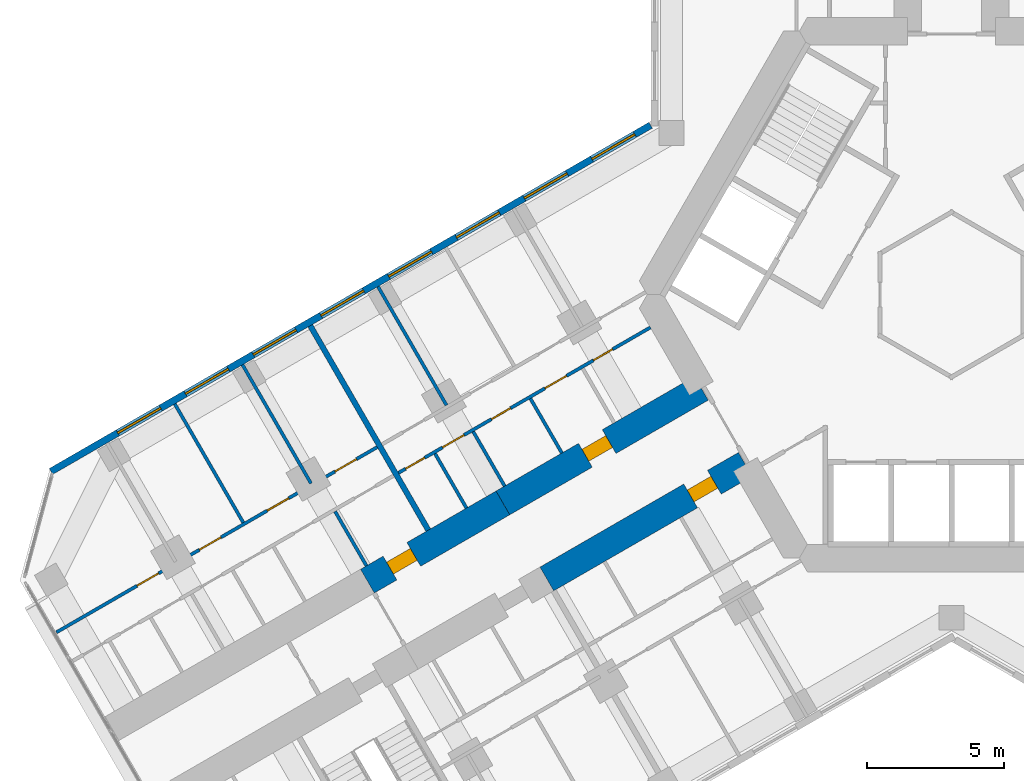
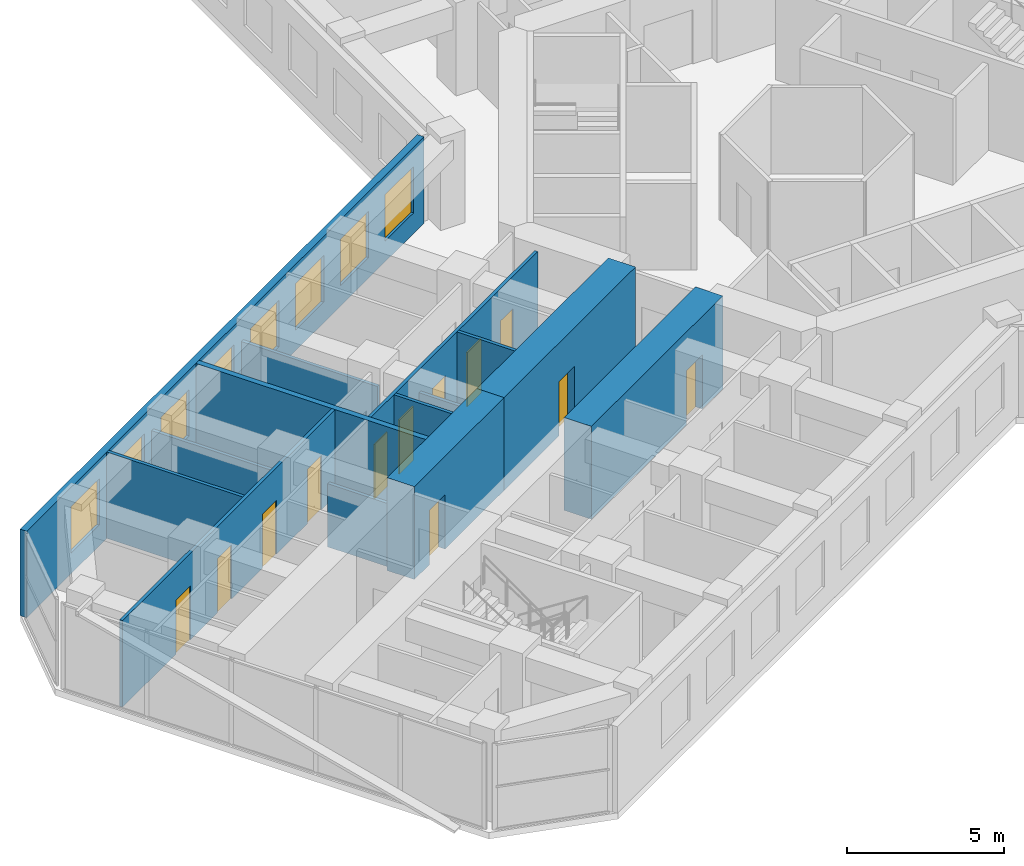
# One storey, part 12 of 22: 14 walls, 12 doors, 8 windows, 20 openings.
"""IFC4 building model written with IfcOpenShell, lengths in metres."""

from ifc_helpers import new_model, si_unit, direction, frame, frame_2d, origin, place, context, subcontext, project, spatial, rectangle, extrude, material, layer, layer_set, type_object, element, fill, save


model = new_model("IFC4")

# Units and contexts
model_context = context("Model", 3, precision=1e-05, world=origin(), true_north=direction((0.0, 1.0)))
body_context = subcontext(model_context, "Body", "Model", "MODEL_VIEW")
ifc_project = project(units=[si_unit("LENGTHUNIT", "METRE"), si_unit("AREAUNIT", "SQUARE_METRE"), si_unit("VOLUMEUNIT", "CUBIC_METRE"), si_unit("PLANEANGLEUNIT", "RADIAN"), si_unit("MASSUNIT", "GRAM", prefix="KILO")], contexts=[model_context])

# Site, building, storey
site_placement = place(None, origin())
site = spatial("IfcSite", under=ifc_project, at=site_placement, CompositionType="ELEMENT")
building_placement = place(site_placement, origin())
building = spatial("IfcBuilding", under=site, at=building_placement, Name="Kosmar Iwan School Tower", CompositionType="ELEMENT")
storey_placement = place(building_placement, frame((0.0, 0.0, 95.199951171875)))
storey = spatial("IfcBuildingStorey", under=building, at=storey_placement, Name="L23", CompositionType="ELEMENT", Elevation=95.199951171875)

# Wall, opening, door
ifc_material_1 = material(Name="Concrete C50/60", Category="concrete")
ifc_layer_1 = layer(ifc_material_1, 1.0)
ifc_layer_set_1 = layer_set([ifc_layer_1], Name="Corridor buttress wall 1000")
wall_type_1 = type_object("IfcWallType", Name="Corridor buttress wall 1000", PredefinedType="SHEAR", material=ifc_layer_set_1)
wall_1_placement = place(storey_placement, frame((-7.513916015625, -6.185546875, 0.0), z_axis=(0.0, 0.0, 1.0), x_axis=(-0.866019549707, -0.500010139422, 0.0)))
wall_1 = element("IfcWall", 1, at=wall_1_placement, inside=storey, type_object=wall_type_1, Name="Corridor wall BL", PredefinedType="SHEAR", context=body_context, shape_type="SweptSolid", body=[
    extrude(rectangle(XDim=8.349853515625, YDim=1.0, at=frame_2d((4.1748046875, 0.0))), origin(), (0.0, 0.0, 1.0), 3.60009765625),
])
opening_1_placement = place(wall_1_placement, frame((1.300048828125, 0.0, 0.0)))
opening_1 = element("IfcOpeningElement", 2, at=opening_1_placement, cuts=wall_1, Name="Opening D1", PredefinedType="OPENING", context=body_context, shape_type="SweptSolid", body=[
    extrude(rectangle(XDim=1.0, YDim=2.10009765625, at=frame_2d((0.5, 1.050048828125))), frame((0.0, 0.511962890625, 0.0), z_axis=(0.0, -1.0, 0.0), x_axis=(1.0, 0.0, 0.0)), (0.0, 0.0, 1.0), 1.02392578125),
])
ifc_material_2 = material(Name="Timber fire door in steel frame", Category="steel")
door_type_1 = type_object("IfcDoorType", Name="Flat entrance door 1000x2100", OperationType="SINGLE_SWING_LEFT", PredefinedType="DOOR", material=ifc_material_2)
door_1_placement = place(opening_1_placement, origin())
door_1 = element("IfcDoor", 3, at=door_1_placement, inside=storey, type_object=door_type_1, Name="Flat L23-BL1 entrance door", OperationType="SINGLE_SWING_RIGHT", OverallHeight=2.10009765625, OverallWidth=1.0, PredefinedType="DOOR", context=body_context, shape_type="SweptSolid", body=[
    extrude(rectangle(XDim=1.0, YDim=2.10009765625, at=frame_2d((0.5, 1.050048828125))), frame((0.0, 0.25, 0.0), z_axis=(0.0, -1.0, 0.0), x_axis=(1.0, 0.0, 0.0)), (0.0, 0.0, 1.0), 0.5),
])
fill(opening_1, door_1)

wall_2_placement = place(storey_placement, frame((-9.11376953125, -3.414306640625, 0.0), z_axis=(0.0, 0.0, 1.0), x_axis=(-0.866026859388, -0.499997478812, 0.0)))
wall_2 = element("IfcWall", 4, at=wall_2_placement, inside=storey, type_object=wall_type_1, Name="Corridor wall BR", PredefinedType="SHEAR", context=body_context, shape_type="SweptSolid", body=[
    extrude(rectangle(XDim=8.35009765625, YDim=1.0, at=frame_2d((4.175048828125, 0.0))), origin(), (0.0, 0.0, 1.0), 3.60009765625),
])
opening_2_placement = place(wall_2_placement, frame((3.8798828125, 0.0, 0.0)))
opening_2 = element("IfcOpeningElement", 5, at=opening_2_placement, cuts=wall_2, Name="Opening D1", PredefinedType="OPENING", context=body_context, shape_type="SweptSolid", body=[
    extrude(rectangle(XDim=1.0, YDim=2.10009765625, at=frame_2d((0.5, 1.050048828125))), frame((0.0, 0.511962890625, 0.0), z_axis=(0.0, -1.0, 0.0), x_axis=(1.0, 0.0, 0.0)), (0.0, 0.0, 1.0), 1.02392578125),
])
door_2_placement = place(opening_2_placement, origin())
door_2 = element("IfcDoor", 6, at=door_2_placement, inside=storey, type_object=door_type_1, Name="Flat L23-BR1 entrance door", OperationType="SINGLE_SWING_RIGHT", OverallHeight=2.10009765625, OverallWidth=1.0, PredefinedType="DOOR", context=body_context, shape_type="SweptSolid", body=[
    extrude(rectangle(XDim=1.0, YDim=2.10009765625, at=frame_2d((0.5, 1.050048828125))), frame((0.0, 0.25, 0.0), z_axis=(0.0, -1.0, 0.0), x_axis=(1.0, 0.0, 0.0)), (0.0, 0.0, 1.0), 0.5),
])
fill(opening_2, door_2)

wall_3_placement = place(storey_placement, frame((-16.34521484375, -7.58935546875, 0.0), z_axis=(0.0, 0.0, 1.0), x_axis=(-0.866015111908, -0.50001782563, 0.0)))
wall_3 = element("IfcWall", 7, at=wall_3_placement, inside=storey, type_object=wall_type_1, Name="Corridor wall BR bay 2", PredefinedType="SHEAR", context=body_context, shape_type="SweptSolid", body=[
    extrude(rectangle(XDim=5.699951171875, YDim=1.0, at=frame_2d((2.85009765625, 0.0))), origin(), (0.0, 0.0, 1.0), 3.60009765625),
])
opening_3_placement = place(wall_3_placement, frame((3.75, 0.0, 0.0)))
opening_3 = element("IfcOpeningElement", 8, at=opening_3_placement, cuts=wall_3, Name="Opening D1", PredefinedType="OPENING", context=body_context, shape_type="SweptSolid", body=[
    extrude(rectangle(XDim=1.0, YDim=2.10009765625, at=frame_2d((0.5, 1.050048828125))), frame((0.0, 0.511962890625, 0.0), z_axis=(0.0, -1.0, 0.0), x_axis=(1.0, 0.0, 0.0)), (0.0, 0.0, 1.0), 1.02392578125),
])
door_3_placement = place(opening_3_placement, origin())
door_3 = element("IfcDoor", 9, at=door_3_placement, inside=storey, type_object=door_type_1, Name="Flat L23-BR2 entrance door", OperationType="SINGLE_SWING_RIGHT", OverallHeight=2.10009765625, OverallWidth=1.0, PredefinedType="DOOR", context=body_context, shape_type="SweptSolid", body=[
    extrude(rectangle(XDim=1.0, YDim=2.10009765625, at=frame_2d((0.5, 1.050048828125))), frame((0.0, 0.25, 0.0), z_axis=(0.0, -1.0, 0.0), x_axis=(1.0, 0.0, 0.0)), (0.0, 0.0, 1.0), 0.5),
])
fill(opening_3, door_3)

# Wall, openings, doors
ifc_material_3 = material(Name="Gypsum board on steel studs", Category="steel")
ifc_layer_2 = layer(ifc_material_3, 0.1201171875)
ifc_layer_set_2 = layer_set([ifc_layer_2], Name="Dwelling partition 120")
wall_type_2 = type_object("IfcWallType", Name="Dwelling partition 120", PredefinedType="PARTITIONING", material=ifc_layer_set_2)
wall_4_placement = place(storey_placement, frame((-10.971923828125, -1.1962890625, 0.0), z_axis=(0.0, 0.0, 1.0), x_axis=(-0.866034853001, -0.49998363312, 0.0)))
wall_4 = element("IfcWall", 10, at=wall_4_placement, inside=storey, type_object=wall_type_2, Name="Partition L23-BR1-W1", PredefinedType="PARTITIONING", context=body_context, shape_type="SweptSolid", body=[
    extrude(rectangle(XDim=10.599853515625, YDim=0.1201171875, at=frame_2d((5.2998046875, 0.0))), origin(), (0.0, 0.0, 1.0), 3.35009765625),
])
opening_4_placement = place(wall_4_placement, frame((1.590087890625, 0.0, 0.0)))
opening_4 = element("IfcOpeningElement", 11, at=opening_4_placement, cuts=wall_4, Name="Opening D3", PredefinedType="OPENING", context=body_context, shape_type="SweptSolid", body=[
    extrude(rectangle(XDim=0.800048828125, YDim=2.10009765625, at=frame_2d((0.39990234375, 1.050048828125))), frame((0.0, 0.072021484375, 0.0), z_axis=(0.0, -1.0, 0.0), x_axis=(1.0, 0.0, 0.0)), (0.0, 0.0, 1.0), 0.14404296875),
])
opening_5_placement = place(wall_4_placement, frame((3.530029296875, 0.0, 0.0)))
opening_5 = element("IfcOpeningElement", 12, at=opening_5_placement, cuts=wall_4, Name="Opening D2", PredefinedType="OPENING", context=body_context, shape_type="SweptSolid", body=[
    extrude(rectangle(XDim=0.89990234375, YDim=2.10009765625, at=frame_2d((0.449951171875, 1.050048828125))), frame((0.0, 0.072021484375, 0.0), z_axis=(0.0, -1.0, 0.0), x_axis=(1.0, 0.0, 0.0)), (0.0, 0.0, 1.0), 0.14404296875),
])
opening_6_placement = place(wall_4_placement, frame((5.88427734375, 0.0, 0.0)))
opening_6 = element("IfcOpeningElement", 13, at=opening_6_placement, cuts=wall_4, Name="Opening D3", PredefinedType="OPENING", context=body_context, shape_type="SweptSolid", body=[
    extrude(rectangle(XDim=0.800048828125, YDim=2.10009765625, at=frame_2d((0.39990234375, 1.050048828125))), frame((0.0, 0.072021484375, 0.0), z_axis=(0.0, -1.0, 0.0), x_axis=(1.0, 0.0, 0.0)), (0.0, 0.0, 1.0), 0.14404296875),
])
opening_7_placement = place(wall_4_placement, frame((7.841552734375, 0.0, 0.0)))
opening_7 = element("IfcOpeningElement", 14, at=opening_7_placement, cuts=wall_4, Name="Opening D2", PredefinedType="OPENING", context=body_context, shape_type="SweptSolid", body=[
    extrude(rectangle(XDim=0.89990234375, YDim=2.10009765625, at=frame_2d((0.449951171875, 1.050048828125))), frame((0.0, 0.072021484375, 0.0), z_axis=(0.0, -1.0, 0.0), x_axis=(1.0, 0.0, 0.0)), (0.0, 0.0, 1.0), 0.14404296875),
])
opening_8_placement = place(wall_4_placement, frame((9.4970703125, 0.0, 0.0)))
opening_8 = element("IfcOpeningElement", 15, at=opening_8_placement, cuts=wall_4, Name="Opening D3", PredefinedType="OPENING", context=body_context, shape_type="SweptSolid", body=[
    extrude(rectangle(XDim=0.800048828125, YDim=2.10009765625, at=frame_2d((0.39990234375, 1.050048828125))), frame((0.0, 0.072021484375, 0.0), z_axis=(0.0, -1.0, 0.0), x_axis=(1.0, 0.0, 0.0)), (0.0, 0.0, 1.0), 0.14404296875),
])
ifc_material_4 = material(Name="Timber door in timber frame", Category="wood")
door_type_2 = type_object("IfcDoorType", Name="Internal door 900x2100", OperationType="SINGLE_SWING_LEFT", PredefinedType="DOOR", material=ifc_material_4)
door_4_placement = place(opening_5_placement, origin())
door_4 = element("IfcDoor", 16, at=door_4_placement, inside=storey, type_object=door_type_2, Name="Entrance hall door L23-BR1-S2", OperationType="SINGLE_SWING_LEFT", OverallHeight=2.10009765625, OverallWidth=0.89990234375, PredefinedType="DOOR", context=body_context, shape_type="SweptSolid", body=[
    extrude(rectangle(XDim=0.89990234375, YDim=2.10009765625, at=frame_2d((0.449951171875, 1.050048828125))), frame((0.0, 0.02490234375, 0.0), z_axis=(0.0, -1.0, 0.0), x_axis=(1.0, 0.0, 0.0)), (0.0, 0.0, 1.0), 0.050048828125),
])
fill(opening_5, door_4)
door_5_placement = place(opening_7_placement, origin())
door_5 = element("IfcDoor", 17, at=door_5_placement, inside=storey, type_object=door_type_2, Name="Pantry door L23-BR1-S4", OperationType="SINGLE_SWING_LEFT", OverallHeight=2.10009765625, OverallWidth=0.89990234375, PredefinedType="DOOR", context=body_context, shape_type="SweptSolid", body=[
    extrude(rectangle(XDim=0.89990234375, YDim=2.10009765625, at=frame_2d((0.449951171875, 1.050048828125))), frame((0.0, 0.02490234375, 0.0), z_axis=(0.0, -1.0, 0.0), x_axis=(1.0, 0.0, 0.0)), (0.0, 0.0, 1.0), 0.050048828125),
])
fill(opening_7, door_5)
ifc_material_5 = material(Name="Timber door in timber frame", Category="wood")
door_type_3 = type_object("IfcDoorType", Name="Sanitary room door 800x2100", OperationType="SINGLE_SWING_LEFT", PredefinedType="DOOR", material=ifc_material_5)
door_6_placement = place(opening_4_placement, origin())
door_6 = element("IfcDoor", 18, at=door_6_placement, inside=storey, type_object=door_type_3, Name="WC door L23-BR1-S1", OperationType="SINGLE_SWING_RIGHT", OverallHeight=2.10009765625, OverallWidth=0.800048828125, PredefinedType="DOOR", context=body_context, shape_type="SweptSolid", body=[
    extrude(rectangle(XDim=0.800048828125, YDim=2.10009765625, at=frame_2d((0.39990234375, 1.050048828125))), frame((0.0, 0.02490234375, 0.0), z_axis=(0.0, -1.0, 0.0), x_axis=(1.0, 0.0, 0.0)), (0.0, 0.0, 1.0), 0.050048828125),
])
fill(opening_4, door_6)
door_7_placement = place(opening_6_placement, origin())
door_7 = element("IfcDoor", 19, at=door_7_placement, inside=storey, type_object=door_type_3, Name="Bathroom door L23-BR1-S3", OperationType="SINGLE_SWING_RIGHT", OverallHeight=2.10009765625, OverallWidth=0.800048828125, PredefinedType="DOOR", context=body_context, shape_type="SweptSolid", body=[
    extrude(rectangle(XDim=0.800048828125, YDim=2.10009765625, at=frame_2d((0.39990234375, 1.050048828125))), frame((0.0, 0.02490234375, 0.0), z_axis=(0.0, -1.0, 0.0), x_axis=(1.0, 0.0, 0.0)), (0.0, 0.0, 1.0), 0.050048828125),
])
fill(opening_6, door_7)
door_8_placement = place(opening_8_placement, origin())
door_8 = element("IfcDoor", 20, at=door_8_placement, inside=storey, type_object=door_type_3, Name="Store door L23-BR1-S5", OperationType="SINGLE_SWING_RIGHT", OverallHeight=2.10009765625, OverallWidth=0.800048828125, PredefinedType="DOOR", context=body_context, shape_type="SweptSolid", body=[
    extrude(rectangle(XDim=0.800048828125, YDim=2.10009765625, at=frame_2d((0.39990234375, 1.050048828125))), frame((0.0, 0.02490234375, 0.0), z_axis=(0.0, -1.0, 0.0), x_axis=(1.0, 0.0, 0.0)), (0.0, 0.0, 1.0), 0.050048828125),
])
fill(opening_8, door_8)

# Walls
wall_5_placement = place(storey_placement, frame((-18.400146484375, -4.030029296875, 0.0), z_axis=(0.0, 0.0, 1.0), x_axis=(-0.500011847778, 0.866018563358, 0.0)))
element("IfcWall", 21, at=wall_5_placement, inside=storey, type_object=wall_type_2, Name="Partition L23-BR1-X3", PredefinedType="PARTITIONING", context=body_context, shape_type="SweptSolid", body=[
    extrude(rectangle(XDim=4.990234375, YDim=0.1201171875, at=frame_2d((2.4951171875, 0.0))), origin(), (0.0, 0.0, 1.0), 2.449951171875),
])
wall_6_placement = place(storey_placement, frame((-14.1962890625, -5.771240234375, 0.0), z_axis=(0.0, 0.0, 1.0), x_axis=(-0.500014693593, 0.866016920268, 0.0)))
element("IfcWall", 22, at=wall_6_placement, inside=storey, type_object=wall_type_2, Name="Partition L23-BR1-Y2", PredefinedType="PARTITIONING", context=body_context, shape_type="SweptSolid", body=[
    extrude(rectangle(XDim=2.2900390625, YDim=0.1201171875, at=frame_2d((1.14501953125, 0.0))), origin(), (0.0, 0.0, 1.0), 3.35009765625),
])
wall_7_placement = place(storey_placement, frame((-16.2822265625, -6.9755859375, 0.0), z_axis=(0.0, 0.0, 1.0), x_axis=(-0.500014693593, 0.866016920268, 0.0)))
element("IfcWall", 23, at=wall_7_placement, inside=storey, type_object=wall_type_2, Name="Partition L23-BR1-Y3", PredefinedType="PARTITIONING", context=body_context, shape_type="SweptSolid", body=[
    extrude(rectangle(XDim=2.2900390625, YDim=0.1201171875, at=frame_2d((1.14501953125, 0.0))), origin(), (0.0, 0.0, 1.0), 2.449951171875),
])
wall_8_placement = place(storey_placement, frame((-17.6728515625, -7.778564453125, 0.0), z_axis=(0.0, 0.0, 1.0), x_axis=(-0.499888569412, 0.866089728707, 0.0)))
element("IfcWall", 24, at=wall_8_placement, inside=storey, type_object=wall_type_2, Name="Partition L23-BR1-Y4", PredefinedType="PARTITIONING", context=body_context, shape_type="SweptSolid", body=[
    extrude(rectangle(XDim=2.2900390625, YDim=0.1201171875, at=frame_2d((1.14501953125, 0.0))), origin(), (0.0, 0.0, 1.0), 3.35009765625),
])

# Wall, openings, doors
wall_9_placement = place(storey_placement, frame((-20.9248046875, -5.556884765625, 0.0), z_axis=(0.0, 0.0, 1.0), x_axis=(-0.866028025956, -0.499995458239, 0.0)))
wall_9 = element("IfcWall", 25, at=wall_9_placement, inside=storey, type_object=wall_type_2, Name="Partition L23-BR2-W2", PredefinedType="PARTITIONING", context=body_context, shape_type="SweptSolid", body=[
    extrude(rectangle(XDim=13.495361328125, YDim=0.1201171875, at=frame_2d((6.74755859375, 0.0))), origin(), (0.0, 0.0, 1.0), 3.35009765625),
])
opening_9_placement = place(wall_9_placement, frame((0.875, 0.0, 0.0)))
opening_9 = element("IfcOpeningElement", 26, at=opening_9_placement, cuts=wall_9, Name="Opening D2", PredefinedType="OPENING", context=body_context, shape_type="SweptSolid", body=[
    extrude(rectangle(XDim=0.89990234375, YDim=2.10009765625, at=frame_2d((0.449951171875, 1.050048828125))), frame((0.0, 0.072021484375, 0.0), z_axis=(0.0, -1.0, 0.0), x_axis=(1.0, 0.0, 0.0)), (0.0, 0.0, 1.0), 0.14404296875),
])
opening_10_placement = place(wall_9_placement, frame((3.72509765625, 0.0, 0.0)))
opening_10 = element("IfcOpeningElement", 27, at=opening_10_placement, cuts=wall_9, Name="Opening D2", PredefinedType="OPENING", context=body_context, shape_type="SweptSolid", body=[
    extrude(rectangle(XDim=0.89990234375, YDim=2.10009765625, at=frame_2d((0.449951171875, 1.050048828125))), frame((0.0, 0.072021484375, 0.0), z_axis=(0.0, -1.0, 0.0), x_axis=(1.0, 0.0, 0.0)), (0.0, 0.0, 1.0), 0.14404296875),
])
opening_11_placement = place(wall_9_placement, frame((6.574951171875, 0.0, 0.0)))
opening_11 = element("IfcOpeningElement", 28, at=opening_11_placement, cuts=wall_9, Name="Opening D2", PredefinedType="OPENING", context=body_context, shape_type="SweptSolid", body=[
    extrude(rectangle(XDim=0.89990234375, YDim=2.10009765625, at=frame_2d((0.449951171875, 1.050048828125))), frame((0.0, 0.072021484375, 0.0), z_axis=(0.0, -1.0, 0.0), x_axis=(1.0, 0.0, 0.0)), (0.0, 0.0, 1.0), 0.14404296875),
])
opening_12_placement = place(wall_9_placement, frame((9.199951171875, 0.0, 0.0)))
opening_12 = element("IfcOpeningElement", 29, at=opening_12_placement, cuts=wall_9, Name="Opening D2", PredefinedType="OPENING", context=body_context, shape_type="SweptSolid", body=[
    extrude(rectangle(XDim=0.89990234375, YDim=2.10009765625, at=frame_2d((0.449951171875, 1.050048828125))), frame((0.0, 0.072021484375, 0.0), z_axis=(0.0, -1.0, 0.0), x_axis=(1.0, 0.0, 0.0)), (0.0, 0.0, 1.0), 0.14404296875),
])
door_9_placement = place(opening_9_placement, origin())
door_9 = element("IfcDoor", 30, at=door_9_placement, inside=storey, type_object=door_type_2, Name="Bedroom 1 door L23-BR2-F1", OperationType="SINGLE_SWING_LEFT", OverallHeight=2.10009765625, OverallWidth=0.89990234375, PredefinedType="DOOR", context=body_context, shape_type="SweptSolid", body=[
    extrude(rectangle(XDim=0.89990234375, YDim=2.10009765625, at=frame_2d((0.449951171875, 1.050048828125))), frame((0.0, 0.02490234375, 0.0), z_axis=(0.0, -1.0, 0.0), x_axis=(1.0, 0.0, 0.0)), (0.0, 0.0, 1.0), 0.050048828125),
])
fill(opening_9, door_9)
door_10_placement = place(opening_10_placement, origin())
door_10 = element("IfcDoor", 31, at=door_10_placement, inside=storey, type_object=door_type_2, Name="Bedroom 2 door L23-BR2-F2", OperationType="SINGLE_SWING_LEFT", OverallHeight=2.10009765625, OverallWidth=0.89990234375, PredefinedType="DOOR", context=body_context, shape_type="SweptSolid", body=[
    extrude(rectangle(XDim=0.89990234375, YDim=2.10009765625, at=frame_2d((0.449951171875, 1.050048828125))), frame((0.0, 0.02490234375, 0.0), z_axis=(0.0, -1.0, 0.0), x_axis=(1.0, 0.0, 0.0)), (0.0, 0.0, 1.0), 0.050048828125),
])
fill(opening_10, door_10)
door_11_placement = place(opening_11_placement, origin())
door_11 = element("IfcDoor", 32, at=door_11_placement, inside=storey, type_object=door_type_2, Name="Bedroom 3 door L23-BR2-F3", OperationType="SINGLE_SWING_RIGHT", OverallHeight=2.10009765625, OverallWidth=0.89990234375, PredefinedType="DOOR", context=body_context, shape_type="SweptSolid", body=[
    extrude(rectangle(XDim=0.89990234375, YDim=2.10009765625, at=frame_2d((0.449951171875, 1.050048828125))), frame((0.0, 0.02490234375, 0.0), z_axis=(0.0, -1.0, 0.0), x_axis=(1.0, 0.0, 0.0)), (0.0, 0.0, 1.0), 0.050048828125),
])
fill(opening_11, door_11)
door_12_placement = place(opening_12_placement, origin())
door_12 = element("IfcDoor", 33, at=door_12_placement, inside=storey, type_object=door_type_2, Name="Living room and kitchen door L23-BR2-F4", OperationType="SINGLE_SWING_RIGHT", OverallHeight=2.10009765625, OverallWidth=0.89990234375, PredefinedType="DOOR", context=body_context, shape_type="SweptSolid", body=[
    extrude(rectangle(XDim=0.89990234375, YDim=2.10009765625, at=frame_2d((0.449951171875, 1.050048828125))), frame((0.0, 0.02490234375, 0.0), z_axis=(0.0, -1.0, 0.0), x_axis=(1.0, 0.0, 0.0)), (0.0, 0.0, 1.0), 0.050048828125),
])
fill(opening_12, door_12)

# Walls
wall_10_placement = place(storey_placement, frame((-23.33642578125, -6.8798828125, 0.0), z_axis=(0.0, 0.0, 1.0), x_axis=(-0.500033033937, 0.866006330792, 0.0)))
element("IfcWall", 34, at=wall_10_placement, inside=storey, type_object=wall_type_2, Name="Partition L23-BR2-X1", PredefinedType="PARTITIONING", context=body_context, shape_type="SweptSolid", body=[
    extrude(rectangle(XDim=4.989990234375, YDim=0.1201171875, at=frame_2d((2.4951171875, 0.0))), origin(), (0.0, 0.0, 1.0), 2.449951171875),
])
wall_11_placement = place(storey_placement, frame((-25.8046875, -8.304931640625, 0.0), z_axis=(0.0, 0.0, 1.0), x_axis=(-0.499975153383, 0.86603974851, 0.0)))
element("IfcWall", 35, at=wall_11_placement, inside=storey, type_object=wall_type_2, Name="Partition L23-BR2-X2", PredefinedType="PARTITIONING", context=body_context, shape_type="SweptSolid", body=[
    extrude(rectangle(XDim=4.989990234375, YDim=0.1201171875, at=frame_2d((2.4951171875, 0.0))), origin(), (0.0, 0.0, 1.0), 3.35009765625),
])
wall_12_placement = place(storey_placement, frame((-21.31494140625, -9.88134765625, 0.0), z_axis=(0.0, 0.0, 1.0), x_axis=(-0.500014693593, 0.866016920268, 0.0)))
element("IfcWall", 36, at=wall_12_placement, inside=storey, type_object=wall_type_2, Name="Partition L23-BR2-Y1", PredefinedType="PARTITIONING", context=body_context, shape_type="SweptSolid", body=[
    extrude(rectangle(XDim=2.2900390625, YDim=0.1201171875, at=frame_2d((1.14501953125, 0.0))), origin(), (0.0, 0.0, 1.0), 2.449951171875),
])

# Wall, openings, windows
ifc_material_6 = material(Name="Black aluminium rainscreen on insulated framing", Category="aluminium")
ifc_layer_3 = layer(ifc_material_6, 0.25)
ifc_layer_set_3 = layer_set([ifc_layer_3], Name="External wall rainscreen 250")
wall_type_3 = type_object("IfcWallType", Name="External wall rainscreen 250", PredefinedType="SOLIDWALL", material=ifc_layer_set_3)
wall_13_placement = place(storey_placement, frame((-10.962890625, 6.170166015625, 0.0), z_axis=(0.0, 0.0, 1.0), x_axis=(-0.86602796634, -0.499995561497, 0.0)))
wall_13 = element("IfcWall", 37, at=wall_13_placement, inside=storey, type_object=wall_type_3, Name="External wall BR L23", PredefinedType="SOLIDWALL", context=body_context, shape_type="SweptSolid", body=[
    extrude(rectangle(XDim=25.226318359375, YDim=0.25, at=frame_2d((12.61328125, 0.0))), origin(), (0.0, 0.0, 1.0), 3.35009765625),
])
opening_13_placement = place(wall_13_placement, frame((0.666015625, 0.0, 0.800048828125)))
opening_13 = element("IfcOpeningElement", 38, at=opening_13_placement, cuts=wall_13, Name="Opening W1", PredefinedType="OPENING", context=body_context, shape_type="SweptSolid", body=[
    extrude(rectangle(XDim=1.800048828125, YDim=1.800048828125, at=frame_2d((0.89990234375, 0.89990234375))), frame((0.0, 0.136962890625, 0.0), z_axis=(0.0, -1.0, 0.0), x_axis=(1.0, 0.0, 0.0)), (0.0, 0.0, 1.0), 0.27392578125),
])
opening_14_placement = place(wall_13_placement, frame((3.51611328125, 0.0, 0.800048828125)))
opening_14 = element("IfcOpeningElement", 39, at=opening_14_placement, cuts=wall_13, Name="Opening W1", PredefinedType="OPENING", context=body_context, shape_type="SweptSolid", body=[
    extrude(rectangle(XDim=1.800048828125, YDim=1.800048828125, at=frame_2d((0.89990234375, 0.89990234375))), frame((0.0, 0.136962890625, 0.0), z_axis=(0.0, -1.0, 0.0), x_axis=(1.0, 0.0, 0.0)), (0.0, 0.0, 1.0), 0.27392578125),
])
opening_15_placement = place(wall_13_placement, frame((6.365966796875, 0.0, 0.800048828125)))
opening_15 = element("IfcOpeningElement", 40, at=opening_15_placement, cuts=wall_13, Name="Opening W1", PredefinedType="OPENING", context=body_context, shape_type="SweptSolid", body=[
    extrude(rectangle(XDim=1.800048828125, YDim=1.800048828125, at=frame_2d((0.89990234375, 0.89990234375))), frame((0.0, 0.136962890625, 0.0), z_axis=(0.0, -1.0, 0.0), x_axis=(1.0, 0.0, 0.0)), (0.0, 0.0, 1.0), 0.27392578125),
])
opening_16_placement = place(wall_13_placement, frame((9.216064453125, 0.0, 0.800048828125)))
opening_16 = element("IfcOpeningElement", 41, at=opening_16_placement, cuts=wall_13, Name="Opening W1", PredefinedType="OPENING", context=body_context, shape_type="SweptSolid", body=[
    extrude(rectangle(XDim=1.800048828125, YDim=1.800048828125, at=frame_2d((0.89990234375, 0.89990234375))), frame((0.0, 0.136962890625, 0.0), z_axis=(0.0, -1.0, 0.0), x_axis=(1.0, 0.0, 0.0)), (0.0, 0.0, 1.0), 0.27392578125),
])
opening_17_placement = place(wall_13_placement, frame((12.06591796875, 0.0, 0.800048828125)))
opening_17 = element("IfcOpeningElement", 42, at=opening_17_placement, cuts=wall_13, Name="Opening W1", PredefinedType="OPENING", context=body_context, shape_type="SweptSolid", body=[
    extrude(rectangle(XDim=1.800048828125, YDim=1.800048828125, at=frame_2d((0.89990234375, 0.89990234375))), frame((0.0, 0.136962890625, 0.0), z_axis=(0.0, -1.0, 0.0), x_axis=(1.0, 0.0, 0.0)), (0.0, 0.0, 1.0), 0.27392578125),
])
opening_18_placement = place(wall_13_placement, frame((14.916015625, 0.0, 0.800048828125)))
opening_18 = element("IfcOpeningElement", 43, at=opening_18_placement, cuts=wall_13, Name="Opening W1", PredefinedType="OPENING", context=body_context, shape_type="SweptSolid", body=[
    extrude(rectangle(XDim=1.800048828125, YDim=1.800048828125, at=frame_2d((0.89990234375, 0.89990234375))), frame((0.0, 0.136962890625, 0.0), z_axis=(0.0, -1.0, 0.0), x_axis=(1.0, 0.0, 0.0)), (0.0, 0.0, 1.0), 0.27392578125),
])
opening_19_placement = place(wall_13_placement, frame((17.76611328125, 0.0, 0.800048828125)))
opening_19 = element("IfcOpeningElement", 44, at=opening_19_placement, cuts=wall_13, Name="Opening W1", PredefinedType="OPENING", context=body_context, shape_type="SweptSolid", body=[
    extrude(rectangle(XDim=1.800048828125, YDim=1.800048828125, at=frame_2d((0.89990234375, 0.89990234375))), frame((0.0, 0.136962890625, 0.0), z_axis=(0.0, -1.0, 0.0), x_axis=(1.0, 0.0, 0.0)), (0.0, 0.0, 1.0), 0.27392578125),
])
opening_20_placement = place(wall_13_placement, frame((20.615966796875, 0.0, 0.800048828125)))
opening_20 = element("IfcOpeningElement", 45, at=opening_20_placement, cuts=wall_13, Name="Opening W1", PredefinedType="OPENING", context=body_context, shape_type="SweptSolid", body=[
    extrude(rectangle(XDim=1.800048828125, YDim=1.800048828125, at=frame_2d((0.89990234375, 0.89990234375))), frame((0.0, 0.136962890625, 0.0), z_axis=(0.0, -1.0, 0.0), x_axis=(1.0, 0.0, 0.0)), (0.0, 0.0, 1.0), 0.27392578125),
])
ifc_material_7 = material(Name="Black aluminium frame with dark triple glazing", Category="aluminium")
window_type = type_object("IfcWindowType", Name="Window 1800x1800", PartitioningType="SINGLE_PANEL", PredefinedType="WINDOW", material=ifc_material_7)
window_1_placement = place(opening_13_placement, origin())
window_1 = element("IfcWindow", 46, at=window_1_placement, inside=storey, type_object=window_type, Name="Window BR L23 -1", OverallHeight=1.800048828125, OverallWidth=1.800048828125, PartitioningType="SINGLE_PANEL", PredefinedType="WINDOW", context=body_context, shape_type="SweptSolid", body=[
    extrude(rectangle(XDim=1.800048828125, YDim=1.800048828125, at=frame_2d((0.89990234375, 0.89990234375))), frame((0.0, 0.030029296875, 0.0), z_axis=(0.0, -1.0, 0.0), x_axis=(1.0, 0.0, 0.0)), (0.0, 0.0, 1.0), 0.06005859375),
])
fill(opening_13, window_1)
window_2_placement = place(opening_14_placement, origin())
window_2 = element("IfcWindow", 47, at=window_2_placement, inside=storey, type_object=window_type, Name="Window BR L23 0", OverallHeight=1.800048828125, OverallWidth=1.800048828125, PartitioningType="SINGLE_PANEL", PredefinedType="WINDOW", context=body_context, shape_type="SweptSolid", body=[
    extrude(rectangle(XDim=1.800048828125, YDim=1.800048828125, at=frame_2d((0.89990234375, 0.89990234375))), frame((0.0, 0.030029296875, 0.0), z_axis=(0.0, -1.0, 0.0), x_axis=(1.0, 0.0, 0.0)), (0.0, 0.0, 1.0), 0.06005859375),
])
fill(opening_14, window_2)
window_3_placement = place(opening_15_placement, origin())
window_3 = element("IfcWindow", 48, at=window_3_placement, inside=storey, type_object=window_type, Name="Window BR L23 1", OverallHeight=1.800048828125, OverallWidth=1.800048828125, PartitioningType="SINGLE_PANEL", PredefinedType="WINDOW", context=body_context, shape_type="SweptSolid", body=[
    extrude(rectangle(XDim=1.800048828125, YDim=1.800048828125, at=frame_2d((0.89990234375, 0.89990234375))), frame((0.0, 0.030029296875, 0.0), z_axis=(0.0, -1.0, 0.0), x_axis=(1.0, 0.0, 0.0)), (0.0, 0.0, 1.0), 0.06005859375),
])
fill(opening_15, window_3)
window_4_placement = place(opening_16_placement, origin())
window_4 = element("IfcWindow", 49, at=window_4_placement, inside=storey, type_object=window_type, Name="Window BR L23 2", OverallHeight=1.800048828125, OverallWidth=1.800048828125, PartitioningType="SINGLE_PANEL", PredefinedType="WINDOW", context=body_context, shape_type="SweptSolid", body=[
    extrude(rectangle(XDim=1.800048828125, YDim=1.800048828125, at=frame_2d((0.89990234375, 0.89990234375))), frame((0.0, 0.030029296875, 0.0), z_axis=(0.0, -1.0, 0.0), x_axis=(1.0, 0.0, 0.0)), (0.0, 0.0, 1.0), 0.06005859375),
])
fill(opening_16, window_4)
window_5_placement = place(opening_17_placement, origin())
window_5 = element("IfcWindow", 50, at=window_5_placement, inside=storey, type_object=window_type, Name="Window BR L23 3", OverallHeight=1.800048828125, OverallWidth=1.800048828125, PartitioningType="SINGLE_PANEL", PredefinedType="WINDOW", context=body_context, shape_type="SweptSolid", body=[
    extrude(rectangle(XDim=1.800048828125, YDim=1.800048828125, at=frame_2d((0.89990234375, 0.89990234375))), frame((0.0, 0.030029296875, 0.0), z_axis=(0.0, -1.0, 0.0), x_axis=(1.0, 0.0, 0.0)), (0.0, 0.0, 1.0), 0.06005859375),
])
fill(opening_17, window_5)
window_6_placement = place(opening_18_placement, origin())
window_6 = element("IfcWindow", 51, at=window_6_placement, inside=storey, type_object=window_type, Name="Window BR L23 4", OverallHeight=1.800048828125, OverallWidth=1.800048828125, PartitioningType="SINGLE_PANEL", PredefinedType="WINDOW", context=body_context, shape_type="SweptSolid", body=[
    extrude(rectangle(XDim=1.800048828125, YDim=1.800048828125, at=frame_2d((0.89990234375, 0.89990234375))), frame((0.0, 0.030029296875, 0.0), z_axis=(0.0, -1.0, 0.0), x_axis=(1.0, 0.0, 0.0)), (0.0, 0.0, 1.0), 0.06005859375),
])
fill(opening_18, window_6)
window_7_placement = place(opening_19_placement, origin())
window_7 = element("IfcWindow", 52, at=window_7_placement, inside=storey, type_object=window_type, Name="Window BR L23 5", OverallHeight=1.800048828125, OverallWidth=1.800048828125, PartitioningType="SINGLE_PANEL", PredefinedType="WINDOW", context=body_context, shape_type="SweptSolid", body=[
    extrude(rectangle(XDim=1.800048828125, YDim=1.800048828125, at=frame_2d((0.89990234375, 0.89990234375))), frame((0.0, 0.030029296875, 0.0), z_axis=(0.0, -1.0, 0.0), x_axis=(1.0, 0.0, 0.0)), (0.0, 0.0, 1.0), 0.06005859375),
])
fill(opening_19, window_7)
window_8_placement = place(opening_20_placement, origin())
window_8 = element("IfcWindow", 53, at=window_8_placement, inside=storey, type_object=window_type, Name="Window BR L23 6", OverallHeight=1.800048828125, OverallWidth=1.800048828125, PartitioningType="SINGLE_PANEL", PredefinedType="WINDOW", context=body_context, shape_type="SweptSolid", body=[
    extrude(rectangle(XDim=1.800048828125, YDim=1.800048828125, at=frame_2d((0.89990234375, 0.89990234375))), frame((0.0, 0.030029296875, 0.0), z_axis=(0.0, -1.0, 0.0), x_axis=(1.0, 0.0, 0.0)), (0.0, 0.0, 1.0), 0.06005859375),
])
fill(opening_20, window_8)

# Wall
ifc_material_8 = material(Name="Concrete block masonry", Category="masonry")
ifc_layer_4 = layer(ifc_material_8, 0.199951171875)
ifc_layer_set_4 = layer_set([ifc_layer_4], Name="Party wall 200")
wall_type_4 = type_object("IfcWallType", Name="Party wall 200", PredefinedType="PARTITIONING", material=ifc_layer_set_4)
wall_14_placement = place(storey_placement, frame((-19.063232421875, -8.581298828125, 0.0), z_axis=(0.0, 0.0, 1.0), x_axis=(-0.500007509209, 0.866021068297, 0.0)))
element("IfcWall", 54, at=wall_14_placement, inside=storey, type_object=wall_type_4, Name="Partition L23-BR2-PW", PredefinedType="PARTITIONING", context=body_context, shape_type="SweptSolid", body=[
    extrude(rectangle(XDim=8.599853515625, YDim=0.199951171875, at=frame_2d((4.2998046875, 0.0))), origin(), (0.0, 0.0, 1.0), 3.35009765625),
])

save(model, "model.ifc")
